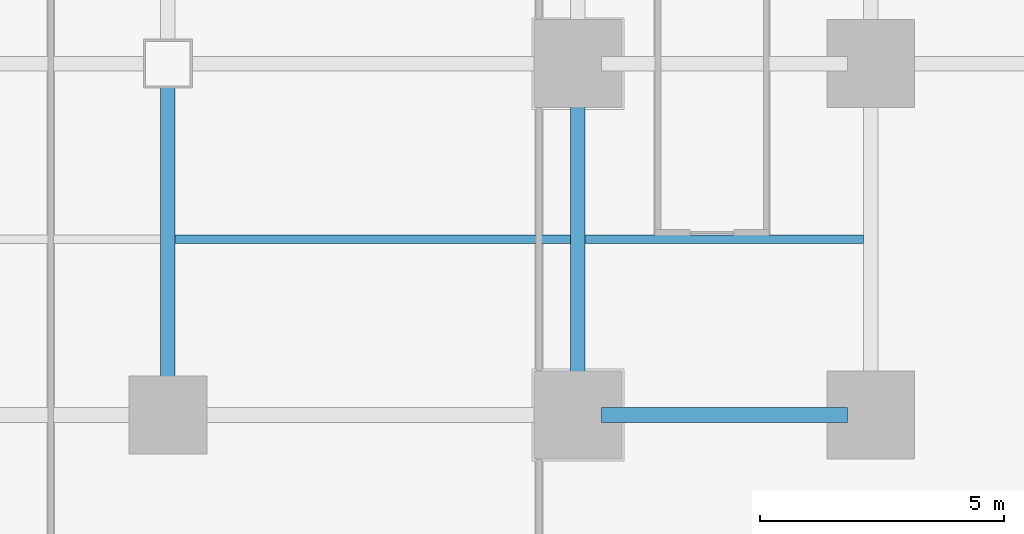
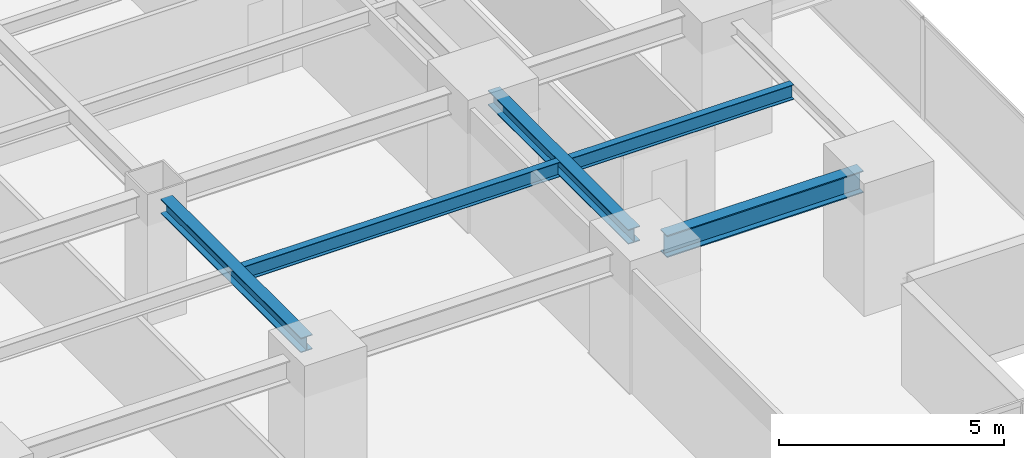
# One storey, part 12 of 33: 5 beams.
"""IFC4 building model written with IfcOpenShell, lengths in metres."""

import ifcopenshell
import ifcopenshell.guid

model = None  # the IFC model being written
_history = None  # IfcOwnerHistory: only IFC2X3 demands one
_inside = {}  # id of a spatial element -> (the spatial element, [elements in it])
_under = {}  # id of a project, library or spatial element -> (it, [spatial elements below it])
_declared = {}  # id of a project -> (the project, [libraries it declares])
_typed = {}  # id of a type object -> (the type object, [elements of that type])
_made_of = {}  # id of a material, layer set ... -> (it, [elements and type objects made of it])


def new_model(schema):
    """Start an empty IFC model of exactly this schema.

    Asked for "IFC4X3", IfcOpenShell would pick the latest addendum, in which some entities
    have other attributes; the version numbers below select the first issue.
    IFC2X3 requires an IfcOwnerHistory on every rooted entity: one is made here for all.
    """
    global model, _history
    if schema == "IFC4X3":
        model = ifcopenshell.file(schema_version=(4, 3, 0, 0))
    else:
        model = ifcopenshell.file(schema=schema)
    _inside.clear()
    _under.clear()
    _declared.clear()
    _typed.clear()
    _made_of.clear()
    _history = None
    if model.schema == "IFC2X3":
        org = make("IfcOrganization", Name="unknown")
        user = make(
            "IfcPersonAndOrganization",
            ThePerson=make("IfcPerson", FamilyName="unknown"),
            TheOrganization=org,
        )
        app = make(
            "IfcApplication",
            ApplicationDeveloper=org,
            Version="unknown",
            ApplicationFullName="unknown",
            ApplicationIdentifier="unknown",
        )
        _history = make(
            "IfcOwnerHistory",
            OwningUser=user,
            OwningApplication=app,
            ChangeAction="ADDED",
            CreationDate=0,
        )
    return model


def make(cls, **values):
    """One entity of the class cls with the attributes given. An attribute that is None is left unset."""
    return model.create_entity(
        cls, **{name: value for name, value in values.items() if value is not None}
    )


def rooted(cls, **values):
    """An entity with a GlobalId (a new one), such as an element, a storey or a relation."""
    return make(cls, GlobalId=ifcopenshell.guid.new(), OwnerHistory=_history, **values)


def si_unit(unit_type, name, prefix=None):
    """IfcSIUnit, for example si_unit("LENGTHUNIT", "METRE", prefix="MILLI")."""
    return make("IfcSIUnit", UnitType=unit_type, Prefix=prefix, Name=name)


def assignment(units):
    """IfcUnitAssignment: the units of a project."""
    return None if units is None else make("IfcUnitAssignment", Units=units)


def point(xyz):
    """IfcCartesianPoint."""
    return None if xyz is None else make("IfcCartesianPoint", Coordinates=xyz)


def direction(xyz):
    """IfcDirection."""
    return None if xyz is None else make("IfcDirection", DirectionRatios=xyz)


def frame(location, z_axis=None, x_axis=None):
    """IfcAxis2Placement3D, a coordinate frame: its origin and axes. An axis left out is left unset."""
    return make(
        "IfcAxis2Placement3D",
        Location=point(location),
        Axis=direction(z_axis),
        RefDirection=direction(x_axis),
    )


def frame_2d(location, x_axis=None):
    """IfcAxis2Placement2D, a coordinate frame in the plane: its origin and x axis."""
    return make(
        "IfcAxis2Placement2D", Location=point(location), RefDirection=direction(x_axis)
    )


def origin():
    """The frame at (0, 0, 0) with its axes left unset."""
    return frame((0.0, 0.0, 0.0))


def origin_2d():
    """The frame at (0, 0) in the plane with its x axis left unset."""
    return frame_2d((0.0, 0.0))


def place(relative_to, where):
    """IfcLocalPlacement: puts the frame where relative to a parent placement (None: the world)."""
    return make(
        "IfcLocalPlacement", PlacementRelTo=relative_to, RelativePlacement=where
    )


def context(
    kind, dimensions, precision=None, world=None, true_north=None, identifier=None
):
    """IfcGeometricRepresentationContext, for example the 3D "Model" context."""
    return make(
        "IfcGeometricRepresentationContext",
        ContextIdentifier=identifier,
        ContextType=kind,
        CoordinateSpaceDimension=dimensions,
        Precision=precision,
        WorldCoordinateSystem=world,
        TrueNorth=true_north,
    )


def subcontext(parent, identifier, kind, view, scale=None):
    """IfcGeometricRepresentationSubContext, for example "Body" below "Model"."""
    return make(
        "IfcGeometricRepresentationSubContext",
        ContextIdentifier=identifier,
        ContextType=kind,
        ParentContext=parent,
        TargetScale=scale,
        TargetView=view,
    )


def project(units=None, contexts=None):
    """IfcProject with its units and contexts."""
    return rooted(
        "IfcProject",
        Name="project",
        RepresentationContexts=contexts,
        UnitsInContext=assignment(units),
    )


def spatial(cls, under=None, at=None, **own):
    """A site, building, storey or space (cls), placed at a placement, below another one or the project."""
    s = rooted(cls, ObjectPlacement=at, **own)
    if under is not None:
        _under.setdefault(under.id(), (under, []))[1].append(s)
    return s


def profile(cls, at=None, kind="AREA", **sizes):
    """A parametric profile (cls). Its sizes go by their IFC names, for example OverallWidth=200.0."""
    return make(cls, ProfileType=kind, Position=at, **sizes)


def i_section(**sizes):
    """IfcIShapeProfileDef."""
    return profile("IfcIShapeProfileDef", **sizes)


def extrude(swept, where, along, depth):
    """IfcExtrudedAreaSolid: the profile swept, set in the frame where, extruded along a direction by depth."""
    return make(
        "IfcExtrudedAreaSolid",
        SweptArea=swept,
        Position=where,
        ExtrudedDirection=direction(along),
        Depth=depth,
    )


def shape(context_of_items, identifier, shape_type, items):
    """IfcShapeRepresentation: the items that make up one representation, for example the "Body"."""
    return make(
        "IfcShapeRepresentation",
        ContextOfItems=context_of_items,
        RepresentationIdentifier=identifier,
        RepresentationType=shape_type,
        Items=items,
    )


def source(mapping_origin, context_of_items, identifier, shape_type, items):
    """IfcRepresentationMap: a shape defined once, which mapped items show again and again."""
    return make(
        "IfcRepresentationMap",
        MappingOrigin=mapping_origin,
        MappedRepresentation=shape(context_of_items, identifier, shape_type, items),
    )


def transform(
    local_origin,
    x_axis=None,
    y_axis=None,
    z_axis=None,
    scale=None,
    scale2=None,
    scale3=None,
    uniform=True,
):
    """IfcCartesianTransformationOperator3D, or its non-uniform kind. x_axis, y_axis, z_axis: its Axis1, 2, 3."""
    if uniform:
        return make(
            "IfcCartesianTransformationOperator3D",
            Axis1=direction(x_axis),
            Axis2=direction(y_axis),
            LocalOrigin=point(local_origin),
            Scale=scale,
            Axis3=direction(z_axis),
        )
    return make(
        "IfcCartesianTransformationOperator3DnonUniform",
        Axis1=direction(x_axis),
        Axis2=direction(y_axis),
        LocalOrigin=point(local_origin),
        Scale=scale,
        Axis3=direction(z_axis),
        Scale2=scale2,
        Scale3=scale3,
    )


def mapped(mapping_source, mapping_target):
    """IfcMappedItem: shows the shape of a source again, moved by a transform."""
    return make(
        "IfcMappedItem", MappingSource=mapping_source, MappingTarget=mapping_target
    )


def material(Name=None, Category=None):
    """IfcMaterial."""
    return make("IfcMaterial", Name=Name, Category=Category)


def material_profile(
    of_material, cross_section, Name=None, Category=None, Priority=None
):
    """IfcMaterialProfile: a cross section and its material."""
    return make(
        "IfcMaterialProfile",
        Name=Name,
        Material=of_material,
        Profile=cross_section,
        Priority=Priority,
        Category=Category,
    )


def profile_set(profiles, Name=None, composite=None):
    """IfcMaterialProfileSet."""
    return make(
        "IfcMaterialProfileSet",
        Name=Name,
        MaterialProfiles=profiles,
        CompositeProfile=composite,
    )


def made_of(thing, what):
    """Note that an element or type object is made of a material, layer set ...; save() writes the relation."""
    if what is not None:
        _made_of.setdefault(what.id(), (what, []))[1].append(thing)
    return thing


def type_object(cls, material=None, **own):
    """A type object (cls), such as IfcWallType, which elements share."""
    return made_of(rooted(cls, **own), material)


def element(
    cls,
    number,
    at=None,
    inside=None,
    cuts=None,
    type_object=None,
    material=None,
    context=None,
    identifier="Body",
    shape_type=None,
    held_by="IfcProductDefinitionShape",
    body=None,
    shapes=None,
    **own,
):
    """One element of the class cls, such as IfcWall. Its Tag is "e" and its number.

    at: its placement. inside: the storey or other place that contains it. cuts: it is an
    opening in that element (IfcRelVoidsElement). A single representation is given by context,
    identifier, shape_type and body (its items); several are given by shapes. held_by: the class
    of the entity that holds the representations. save() writes the other relations.
    """
    e = rooted(cls, Tag="e%d" % number, ObjectPlacement=at, **own)
    if body is not None:
        shapes = [shape(context, identifier, shape_type, body)]
    if shapes is not None:
        e.Representation = make(held_by, Representations=shapes)
    if inside is not None:
        _inside.setdefault(inside.id(), (inside, []))[1].append(e)
    if cuts is not None:
        rooted(
            "IfcRelVoidsElement", RelatingBuildingElement=cuts, RelatedOpeningElement=e
        )
    if type_object is not None:
        _typed.setdefault(type_object.id(), (type_object, []))[1].append(e)
    return made_of(e, material)


def aggregate(whole, parts):
    """IfcRelAggregates: a whole, such as a stair, and the parts it consists of."""
    return rooted("IfcRelAggregates", RelatingObject=whole, RelatedObjects=parts)


def save(model, path):
    """Write the relations noted so far, then the file.

    IfcRelAggregates (storeys below a building ...), IfcRelContainedInSpatialStructure (elements
    in a storey), IfcRelDefinesByType, IfcRelAssociatesMaterial and IfcRelDeclares: one each for
    every whole, place, type object, material and project.
    """
    for whole, parts in _under.values():
        aggregate(whole, parts)
    for where, things in _inside.values():
        rooted(
            "IfcRelContainedInSpatialStructure",
            RelatedElements=things,
            RelatingStructure=where,
        )
    for kind, things in _typed.values():
        rooted("IfcRelDefinesByType", RelatedObjects=things, RelatingType=kind)
    for what, things in _made_of.values():
        rooted("IfcRelAssociatesMaterial", RelatedObjects=things, RelatingMaterial=what)
    for by, libraries in _declared.values():
        rooted("IfcRelDeclares", RelatingContext=by, RelatedDefinitions=libraries)
    model.write(path)


model = new_model("IFC4")

# Units and contexts
model_context = context("Model", 3, precision=1e-05, world=origin(), true_north=direction((0.0, 1.0)))
body_context = subcontext(model_context, "Body", "Model", "MODEL_VIEW")
ifc_project = project(units=[si_unit("LENGTHUNIT", "METRE"), si_unit("AREAUNIT", "SQUARE_METRE"), si_unit("VOLUMEUNIT", "CUBIC_METRE"), si_unit("PLANEANGLEUNIT", "RADIAN"), si_unit("MASSUNIT", "GRAM", prefix="KILO")], contexts=[model_context])

# Site, building, storey
site_placement = place(None, origin())
site = spatial("IfcSite", under=ifc_project, at=site_placement, CompositionType="ELEMENT")
building_placement = place(site_placement, origin())
building = spatial("IfcBuilding", under=site, at=building_placement, Name="Sumidabori Civic Tower", CompositionType="ELEMENT")
storey_placement = place(building_placement, frame((0.0, 0.0, 27.199951171875)))
storey = spatial("IfcBuildingStorey", under=building, at=storey_placement, Name="L06", CompositionType="ELEMENT", Elevation=27.199951171875)

# Beams
ifc_material = material(Name="Steel SN490", Category="steel")
ifc_material_profile_1 = material_profile(ifc_material, i_section(OverallWidth=0.300048828125, OverallDepth=0.60009765625, WebThickness=0.015380859375, FlangeThickness=0.030029296875, at=origin_2d()), Name="HE 600 B")
ifc_profile_set_1 = profile_set([ifc_material_profile_1], Name="Steel SN490")
beam_type_1 = type_object("IfcBeamType", Name="BM-GIRD-600", PredefinedType="BEAM", material=ifc_profile_set_1)
shared_shape_1 = source(origin(), body_context, "Body", "SweptSolid", [
    extrude(i_section(OverallWidth=0.300048828125, OverallDepth=0.60009765625, WebThickness=0.015380859375, FlangeThickness=0.030029296875, at=origin_2d()), origin(), (0.0, 0.0, 1.0), 5.0400390625),
])
beam_1_placement = place(storey_placement, frame((17.280029296875, -18.0, 3.06005859375), z_axis=(1.0, 0.0, 0.0), x_axis=(0.0, 1.0, 0.0)))
element("IfcBeam", 1, at=beam_1_placement, inside=storey, type_object=beam_type_1, Name="Primary Girder L06 GX-06", PredefinedType="BEAM", context=body_context, shape_type="MappedRepresentation", body=[
    mapped(shared_shape_1, transform((0.0, 0.0, 0.0), x_axis=(1.0, 0.0, 0.0), y_axis=(0.0, 1.0, 0.0), z_axis=(0.0, 0.0, 1.0), scale=1.0)),
])
ifc_material_profile_2 = material_profile(ifc_material, i_section(OverallWidth=0.300048828125, OverallDepth=0.39990234375, WebThickness=0.013427734375, FlangeThickness=0.02392578125, at=origin_2d()), Name="HE 400 B")
ifc_profile_set_2 = profile_set([ifc_material_profile_2], Name="Steel SN490")
beam_type_2 = type_object("IfcBeamType", Name="BM-GIRD-400", PredefinedType="BEAM", material=ifc_profile_set_2)
shared_shape_2 = source(origin(), body_context, "Body", "SweptSolid", [
    extrude(i_section(OverallWidth=0.300048828125, OverallDepth=0.39990234375, WebThickness=0.013427734375, FlangeThickness=0.02392578125, at=origin_2d()), origin(), (0.0, 0.0, 1.0), 6.239990234375),
])
for number, where, z_axis, x_axis, name in (
    (2, (8.39990234375, -17.52001953125, 3.16015625), (0.0, 1.0, 0.0), (-1.0, 0.0, 0.0), "Primary Girder L06 GY-33"),
    (3, (16.800048828125, -17.52001953125, 3.16015625), (0.0, 1.0, 0.0), (-1.0, 0.0, 0.0), "Primary Girder L06 GY-35"),
):
    element("IfcBeam", number, at=place(storey_placement, frame(where, z_axis=z_axis, x_axis=x_axis)), inside=storey, type_object=beam_type_2, Name=name, PredefinedType="BEAM", context=body_context, shape_type="MappedRepresentation", body=[
        mapped(shared_shape_2, transform((0.0, 0.0, 0.0), x_axis=(1.0, 0.0, 0.0), y_axis=(0.0, 1.0, 0.0), z_axis=(0.0, 0.0, 1.0), scale=1.0)),
    ])
ifc_material_profile_3 = material_profile(ifc_material, i_section(OverallWidth=0.179931640625, OverallDepth=0.39990234375, WebThickness=0.008544921875, FlangeThickness=0.013427734375, at=origin_2d()), Name="IPE 400")
ifc_profile_set_3 = profile_set([ifc_material_profile_3], Name="Steel SN490")
beam_type_3 = type_object("IfcBeamType", Name="BM-JST-400", PredefinedType="JOIST", material=ifc_profile_set_3)
shared_shape_3 = source(origin(), body_context, "Body", "SweptSolid", [
    extrude(i_section(OverallWidth=0.179931640625, OverallDepth=0.39990234375, WebThickness=0.008544921875, FlangeThickness=0.013427734375, at=origin_2d()), origin(), (0.0, 0.0, 1.0), 5.699951171875),
])
beam_2_placement = place(storey_placement, frame((16.949951171875, -14.39990234375, 3.16015625), z_axis=(1.0, 0.0, 0.0), x_axis=(0.0, 1.0, 0.0)))
element("IfcBeam", 4, at=beam_2_placement, inside=storey, type_object=beam_type_3, Name="Outer Bay Floor Joist L06 JSTO-58", PredefinedType="JOIST", context=body_context, shape_type="MappedRepresentation", body=[
    mapped(shared_shape_3, transform((0.0, 0.0, 0.0), x_axis=(1.0, 0.0, 0.0), y_axis=(0.0, 1.0, 0.0), z_axis=(0.0, 0.0, 1.0), scale=1.0)),
])
shared_shape_4 = source(origin(), body_context, "Body", "SweptSolid", [
    extrude(i_section(OverallWidth=0.179931640625, OverallDepth=0.39990234375, WebThickness=0.008544921875, FlangeThickness=0.013427734375, at=origin_2d()), origin(), (0.0, 0.0, 1.0), 8.099853515625),
])
beam_3_placement = place(storey_placement, frame((8.550048828125, -14.39990234375, 3.16015625), z_axis=(1.0, 0.0, 0.0), x_axis=(0.0, 1.0, 0.0)))
element("IfcBeam", 5, at=beam_3_placement, inside=storey, type_object=beam_type_3, Name="South Bay Floor Joist L06 JSTS-64", PredefinedType="JOIST", context=body_context, shape_type="MappedRepresentation", body=[
    mapped(shared_shape_4, transform((0.0, 0.0, 0.0), x_axis=(1.0, 0.0, 0.0), y_axis=(0.0, 1.0, 0.0), z_axis=(0.0, 0.0, 1.0), scale=1.0)),
])

save(model, "model.ifc")
